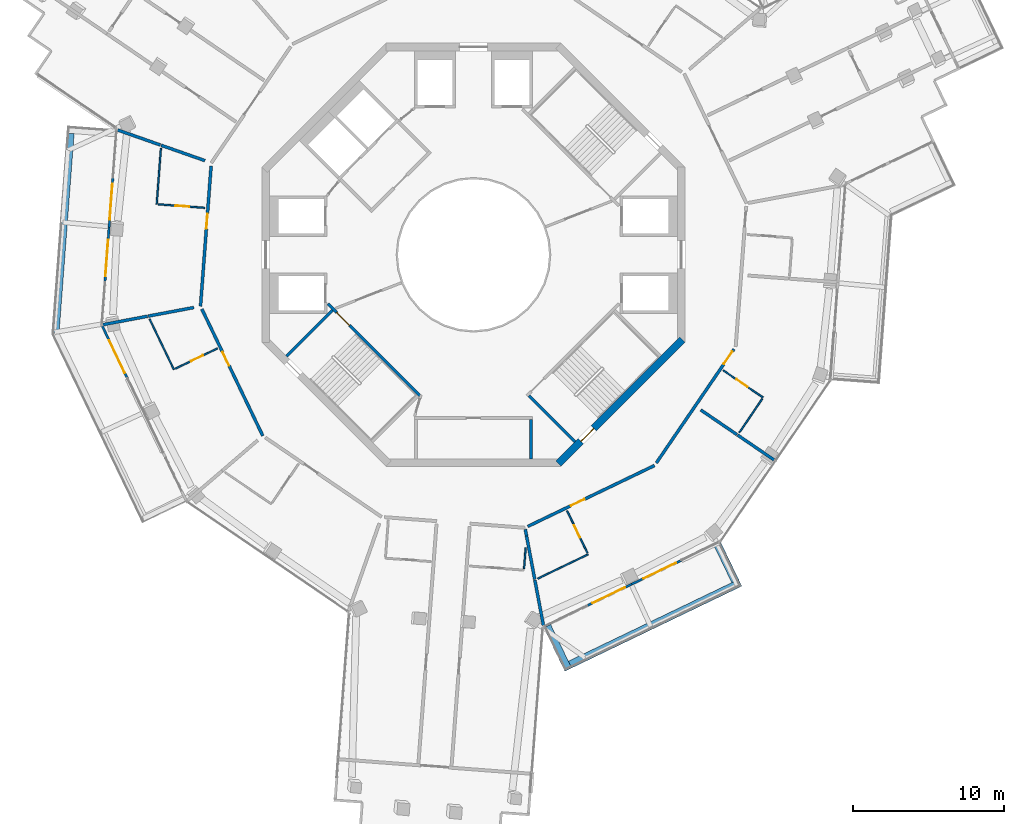
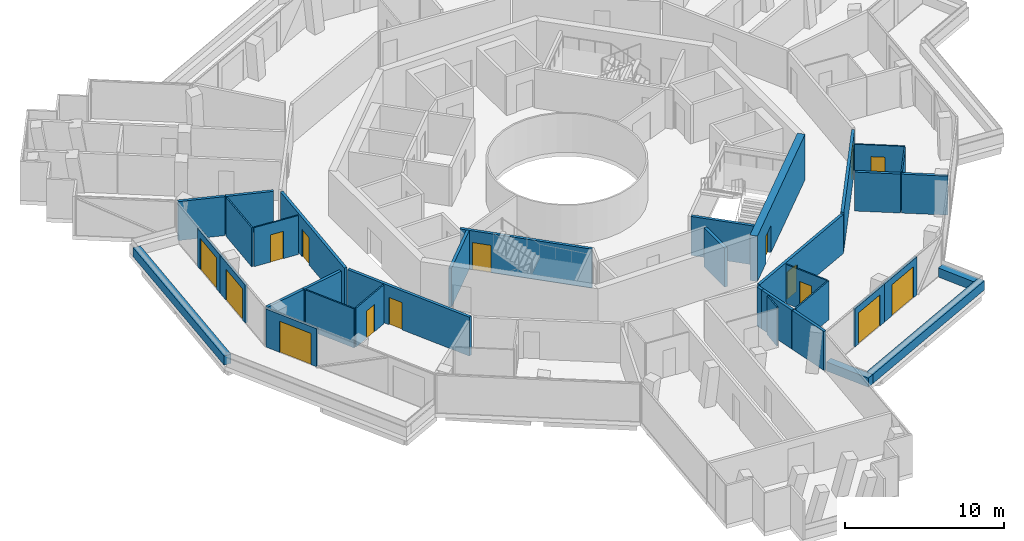
# One storey, part 16 of 23: 36 walls, 15 doors, 15 openings.
"""IFC4 building model written with IfcOpenShell, lengths in metres."""

from ifc_helpers import new_model, si_unit, direction, frame, frame_2d, origin, place, context, subcontext, project, spatial, rectangle, extrude, material, layer, layer_set, type_object, element, fill, save


model = new_model("IFC4")

# Units and contexts
model_context = context("Model", 3, precision=1e-05, world=origin(), true_north=direction((0.0, 1.0)))
body_context = subcontext(model_context, "Body", "Model", "MODEL_VIEW")
ifc_project = project(units=[si_unit("LENGTHUNIT", "METRE"), si_unit("AREAUNIT", "SQUARE_METRE"), si_unit("VOLUMEUNIT", "CUBIC_METRE"), si_unit("PLANEANGLEUNIT", "RADIAN"), si_unit("MASSUNIT", "GRAM", prefix="KILO")], contexts=[model_context])

# Site, building, storey
site_placement = place(None, origin())
site = spatial("IfcSite", under=ifc_project, at=site_placement, CompositionType="ELEMENT")
building_placement = place(site_placement, origin())
building = spatial("IfcBuilding", under=site, at=building_placement, Name="Verdalira Terraces Hotel", CompositionType="ELEMENT")
storey_placement = place(building_placement, frame((0.0, 0.0, 259.5)))
storey = spatial("IfcBuildingStorey", under=building, at=storey_placement, Name="L64", CompositionType="ELEMENT", Elevation=259.5)

# Walls
ifc_material_1 = material(Name="Concrete C40", Category="concrete")
ifc_layer_1 = layer(ifc_material_1, 0.5)
ifc_layer_set_1 = layer_set([ifc_layer_1], Name="Balcony planter trough with tree")
wall_type_1 = type_object("IfcWallType", Name="Balcony planter trough with tree", PredefinedType="SOLIDWALL", material=ifc_layer_set_1)
wall_1_placement = place(storey_placement, frame((-26.678955, 8.032471, 0.0), z_axis=(0.0, 0.0, 1.0), x_axis=(-0.075328331, -0.997158785, 0.0)))
element("IfcWall", 1, at=wall_1_placement, inside=storey, type_object=wall_type_1, Name="Balcony planter", PredefinedType="SOLIDWALL", context=body_context, shape_type="SweptSolid", body=[
    extrude(rectangle(XDim=13.223389, YDim=0.5, at=frame_2d((6.611816, 0.0))), origin(), (0.0, 0.0, 1.0), 0.699951),
])
wall_2_placement = place(storey_placement, frame((4.879883, -24.571533, 0.0), z_axis=(0.0, 0.0, 1.0), x_axis=(0.433393374, -0.901204851, 0.0)))
element("IfcWall", 2, at=wall_2_placement, inside=storey, type_object=wall_type_1, Name="Balcony planter", PredefinedType="SOLIDWALL", context=body_context, shape_type="SweptSolid", body=[
    extrude(rectangle(XDim=3.199219, YDim=0.5, at=frame_2d((1.599609, 0.0))), origin(), (0.0, 0.0, 1.0), 0.699951),
])
wall_3_placement = place(storey_placement, frame((6.383301, -27.121094, 0.0), z_axis=(0.0, 0.0, 1.0), x_axis=(0.901222941, 0.433355755, 0.0)))
element("IfcWall", 3, at=wall_3_placement, inside=storey, type_object=wall_type_1, Name="Balcony planter", PredefinedType="SOLIDWALL", context=body_context, shape_type="SweptSolid", body=[
    extrude(rectangle(XDim=12.5, YDim=0.5, at=frame_2d((6.25, 0.0))), origin(), (0.0, 0.0, 1.0), 0.699951),
])
wall_4_placement = place(storey_placement, frame((17.314941, -21.587158, 0.0), z_axis=(0.0, 0.0, 1.0), x_axis=(-0.433374971, 0.901213701, 0.0)))
element("IfcWall", 4, at=wall_4_placement, inside=storey, type_object=wall_type_1, Name="Balcony planter", PredefinedType="SOLIDWALL", context=body_context, shape_type="SweptSolid", body=[
    extrude(rectangle(XDim=2.698975, YDim=0.5, at=frame_2d((1.349609, 0.0))), origin(), (0.0, 0.0, 1.0), 0.699951),
])
ifc_material_2 = material(Name="Moisture-resistant gypsum board partition")
ifc_layer_2 = layer(ifc_material_2, 0.10009765625)
ifc_layer_set_2 = layer_set([ifc_layer_2], Name="Bathroom partition 100 mm")
wall_type_2 = type_object("IfcWallType", Name="Bathroom partition 100 mm", PredefinedType="PARTITIONING", material=ifc_layer_set_2)
wall_5_placement = place(storey_placement, frame((-20.96582, 3.347168, 0.0), z_axis=(0.0, 0.0, 1.0), x_axis=(0.075340523, 0.997157864, 0.0)))
element("IfcWall", 5, at=wall_5_placement, inside=storey, type_object=wall_type_2, Name="Bathroom partition", PredefinedType="PARTITIONING", context=body_context, shape_type="SweptSolid", body=[
    extrude(rectangle(XDim=3.703857, YDim=0.100098, at=frame_2d((1.852051, 0.0))), origin(), (0.0, 0.0, 1.0), 3.0),
])
wall_6_placement = place(storey_placement, frame((-19.830322, -7.584229, 0.0), z_axis=(0.0, 0.0, 1.0), x_axis=(-0.433371651, 0.901215297, 0.0)))
element("IfcWall", 6, at=wall_6_placement, inside=storey, type_object=wall_type_2, Name="Bathroom partition", PredefinedType="PARTITIONING", context=body_context, shape_type="SweptSolid", body=[
    extrude(rectangle(XDim=3.704102, YDim=0.100098, at=frame_2d((1.852051, 0.0))), origin(), (0.0, 0.0, 1.0), 3.0),
])

# Wall, opening, door
wall_7_placement = place(storey_placement, frame((-20.866211, 3.3396, 0.0), z_axis=(0.0, 0.0, 1.0), x_axis=(0.99716189, -0.075287219, 0.0)))
wall_7 = element("IfcWall", 7, at=wall_7_placement, inside=storey, type_object=wall_type_2, Name="Bathroom partition", PredefinedType="PARTITIONING", context=body_context, shape_type="SweptSolid", body=[
    extrude(rectangle(XDim=3.100098, YDim=0.100098, at=frame_2d((1.550049, 0.0))), origin(), (0.0, 0.0, 1.0), 3.0),
])
opening_1_placement = place(wall_7_placement, frame((1.149902, 0.0, 0.0)))
opening_1 = element("IfcOpeningElement", 8, at=opening_1_placement, cuts=wall_7, Name="Opening L64-106", PredefinedType="OPENING", context=body_context, shape_type="SweptSolid", body=[
    extrude(rectangle(XDim=0.899902, YDim=2.100098, at=frame_2d((0.449951, 1.050049))), frame((0.0, 0.060059, 0.0), z_axis=(0.0, -1.0, 0.0), x_axis=(1.0, 0.0, 0.0)), (0.0, 0.0, 1.0), 0.120117),
])
ifc_material_3 = material(Name="Timber door", Category="wood")
door_type_1 = type_object("IfcDoorType", Name="Bathroom door 900 x 2100", OperationType="NOTDEFINED", PredefinedType="DOOR", material=ifc_material_3)
door_1_placement = place(opening_1_placement, origin())
door_1 = element("IfcDoor", 9, at=door_1_placement, inside=storey, type_object=door_type_1, Name="Bathroom door 6402", OperationType="SINGLE_SWING_LEFT", OverallHeight=2.10009765625, OverallWidth=0.89990234375, PredefinedType="DOOR", context=body_context, shape_type="SweptSolid", body=[
    extrude(rectangle(XDim=0.899902, YDim=2.100098, at=frame_2d((0.449951, 1.050049))), frame((0.0, 0.024902, 0.0), z_axis=(0.0, -1.0, 0.0), x_axis=(1.0, 0.0, 0.0)), (0.0, 0.0, 1.0), 0.050049),
])
fill(opening_1, door_1)

wall_8_placement = place(storey_placement, frame((-19.740234, -7.541016, 0.0), z_axis=(0.0, 0.0, 1.0), x_axis=(0.901204512, 0.433394078, 0.0)))
wall_8 = element("IfcWall", 10, at=wall_8_placement, inside=storey, type_object=wall_type_2, Name="Bathroom partition", PredefinedType="PARTITIONING", context=body_context, shape_type="SweptSolid", body=[
    extrude(rectangle(XDim=3.099854, YDim=0.100098, at=frame_2d((1.549805, 0.0))), origin(), (0.0, 0.0, 1.0), 3.0),
])
opening_2_placement = place(wall_8_placement, frame((1.149902, 0.0, 0.0)))
opening_2 = element("IfcOpeningElement", 11, at=opening_2_placement, cuts=wall_8, Name="Opening L64-108", PredefinedType="OPENING", context=body_context, shape_type="SweptSolid", body=[
    extrude(rectangle(XDim=0.899902, YDim=2.100098, at=frame_2d((0.449951, 1.050049))), frame((0.0, 0.060059, 0.0), z_axis=(0.0, -1.0, 0.0), x_axis=(1.0, 0.0, 0.0)), (0.0, 0.0, 1.0), 0.120117),
])
door_2_placement = place(opening_2_placement, origin())
door_2 = element("IfcDoor", 12, at=door_2_placement, inside=storey, type_object=door_type_1, Name="Bathroom door 6403", OperationType="SINGLE_SWING_LEFT", OverallHeight=2.10009765625, OverallWidth=0.89990234375, PredefinedType="DOOR", context=body_context, shape_type="SweptSolid", body=[
    extrude(rectangle(XDim=0.899902, YDim=2.100098, at=frame_2d((0.449951, 1.050049))), frame((0.0, 0.024902, 0.0), z_axis=(0.0, -1.0, 0.0), x_axis=(1.0, 0.0, 0.0)), (0.0, 0.0, 1.0), 0.050049),
])
fill(opening_2, door_2)

# Walls
wall_9_placement = place(storey_placement, frame((3.450439, -19.374756, 0.0), z_axis=(0.0, 0.0, 1.0), x_axis=(-0.075414876, -0.997152243, 0.0)))
element("IfcWall", 13, at=wall_9_placement, inside=storey, type_object=wall_type_2, Name="Bathroom partition", PredefinedType="PARTITIONING", context=body_context, shape_type="SweptSolid", body=[
    extrude(rectangle(XDim=1.398438, YDim=0.100098, at=frame_2d((0.699219, 0.0))), origin(), (0.0, 0.0, 1.0), 3.0),
])
wall_10_placement = place(storey_placement, frame((7.584229, -19.830322, 0.0), z_axis=(0.0, 0.0, 1.0), x_axis=(-0.901215297, -0.433371651, 0.0)))
element("IfcWall", 14, at=wall_10_placement, inside=storey, type_object=wall_type_2, Name="Bathroom partition", PredefinedType="PARTITIONING", context=body_context, shape_type="SweptSolid", body=[
    extrude(rectangle(XDim=3.704102, YDim=0.100098, at=frame_2d((1.852051, 0.0))), origin(), (0.0, 0.0, 1.0), 3.0),
])

# Wall, opening, door
wall_11_placement = place(storey_placement, frame((7.541016, -19.740234, 0.0), z_axis=(0.0, 0.0, 1.0), x_axis=(-0.433394078, 0.901204512, 0.0)))
wall_11 = element("IfcWall", 15, at=wall_11_placement, inside=storey, type_object=wall_type_2, Name="Bathroom partition", PredefinedType="PARTITIONING", context=body_context, shape_type="SweptSolid", body=[
    extrude(rectangle(XDim=3.099854, YDim=0.100098, at=frame_2d((1.549805, 0.0))), origin(), (0.0, 0.0, 1.0), 3.0),
])
opening_3_placement = place(wall_11_placement, frame((1.149902, 0.0, 0.0)))
opening_3 = element("IfcOpeningElement", 16, at=opening_3_placement, cuts=wall_11, Name="Opening L64-116", PredefinedType="OPENING", context=body_context, shape_type="SweptSolid", body=[
    extrude(rectangle(XDim=0.899902, YDim=2.100098, at=frame_2d((0.449951, 1.050049))), frame((0.0, 0.060059, 0.0), z_axis=(0.0, -1.0, 0.0), x_axis=(1.0, 0.0, 0.0)), (0.0, 0.0, 1.0), 0.120117),
])
door_3_placement = place(opening_3_placement, origin())
door_3 = element("IfcDoor", 17, at=door_3_placement, inside=storey, type_object=door_type_1, Name="Bathroom door 6407", OperationType="SINGLE_SWING_LEFT", OverallHeight=2.10009765625, OverallWidth=0.89990234375, PredefinedType="DOOR", context=body_context, shape_type="SweptSolid", body=[
    extrude(rectangle(XDim=0.899902, YDim=2.100098, at=frame_2d((0.449951, 1.050049))), frame((0.0, 0.024902, 0.0), z_axis=(0.0, -1.0, 0.0), x_axis=(1.0, 0.0, 0.0)), (0.0, 0.0, 1.0), 0.050049),
])
fill(opening_3, door_3)

wall_12_placement = place(storey_placement, frame((19.166016, -9.45166, 0.0), z_axis=(0.0, 0.0, 1.0), x_axis=(-0.8258963, 0.563822047, 0.0)))
wall_12 = element("IfcWall", 18, at=wall_12_placement, inside=storey, type_object=wall_type_2, Name="Bathroom partition", PredefinedType="PARTITIONING", context=body_context, shape_type="SweptSolid", body=[
    extrude(rectangle(XDim=3.199951, YDim=0.100098, at=frame_2d((1.600098, 0.0))), origin(), (0.0, 0.0, 1.0), 3.0),
])
opening_4_placement = place(wall_12_placement, frame((1.25, 0.0, 0.0)))
opening_4 = element("IfcOpeningElement", 19, at=opening_4_placement, cuts=wall_12, Name="Opening L64-118", PredefinedType="OPENING", context=body_context, shape_type="SweptSolid", body=[
    extrude(rectangle(XDim=0.899902, YDim=2.100098, at=frame_2d((0.449951, 1.050049))), frame((0.0, 0.060059, 0.0), z_axis=(0.0, -1.0, 0.0), x_axis=(1.0, 0.0, 0.0)), (0.0, 0.0, 1.0), 0.120117),
])
door_4_placement = place(opening_4_placement, origin())
door_4 = element("IfcDoor", 20, at=door_4_placement, inside=storey, type_object=door_type_1, Name="Bathroom door 6408", OperationType="SINGLE_SWING_LEFT", OverallHeight=2.10009765625, OverallWidth=0.89990234375, PredefinedType="DOOR", context=body_context, shape_type="SweptSolid", body=[
    extrude(rectangle(XDim=0.899902, YDim=2.100098, at=frame_2d((0.449951, 1.050049))), frame((0.0, 0.024902, 0.0), z_axis=(0.0, -1.0, 0.0), x_axis=(1.0, 0.0, 0.0)), (0.0, 0.0, 1.0), 0.050049),
])
fill(opening_4, door_4)

# Walls
wall_13_placement = place(storey_placement, frame((19.109863, -9.53418, 0.0), z_axis=(0.0, 0.0, 1.0), x_axis=(-0.563847343, -0.825879031, 0.0)))
element("IfcWall", 21, at=wall_13_placement, inside=storey, type_object=wall_type_2, Name="Bathroom partition", PredefinedType="PARTITIONING", context=body_context, shape_type="SweptSolid", body=[
    extrude(rectangle(XDim=2.700195, YDim=0.100098, at=frame_2d((1.350098, 0.0))), origin(), (0.0, 0.0, 1.0), 3.0),
])
ifc_material_4 = material(Name="Concrete C50", Category="concrete")
ifc_layer_3 = layer(ifc_material_4, 0.199951171875)
ifc_layer_set_3 = layer_set([ifc_layer_3], Name="Core RC wall 200 C50")
wall_type_3 = type_object("IfcWallType", Name="Core RC wall 200 C50", PredefinedType="SOLIDWALL", material=ifc_layer_set_3)
wall_14_placement = place(storey_placement, frame((3.800049, -10.899902, 0.0), z_axis=(0.0, 0.0, 1.0), x_axis=(0.0, -1.0, 0.0)))
element("IfcWall", 22, at=wall_14_placement, inside=storey, type_object=wall_type_3, Name="L64 store side wall", PredefinedType="SOLIDWALL", context=body_context, shape_type="SweptSolid", body=[
    extrude(rectangle(XDim=2.600098, YDim=0.199951, at=frame_2d((1.300049, 0.0))), origin(), (0.0, 0.0, 1.0), 3.0),
])

# Wall, opening, door
wall_15_placement = place(storey_placement, frame((-3.5354, -9.33374, 0.0), z_axis=(0.0, 0.0, 1.0), x_axis=(-0.707120946, 0.707092617, 0.0)))
wall_15 = element("IfcWall", 23, at=wall_15_placement, inside=storey, type_object=wall_type_3, Name="L64 stair ST2 front wall", PredefinedType="SOLIDWALL", context=body_context, shape_type="SweptSolid", body=[
    extrude(rectangle(XDim=8.61792, YDim=0.199951, at=frame_2d((4.309082, 0.0))), origin(), (0.0, 0.0, 1.0), 3.0),
])
opening_5_placement = place(wall_15_placement, frame((6.600098, 0.0, 0.0)))
opening_5 = element("IfcOpeningElement", 24, at=opening_5_placement, cuts=wall_15, Name="Opening L64-811", PredefinedType="OPENING", context=body_context, shape_type="SweptSolid", body=[
    extrude(rectangle(XDim=1.199951, YDim=2.100098, at=frame_2d((0.600098, 1.050049))), frame((0.0, 0.109863, 0.0), z_axis=(0.0, -1.0, 0.0), x_axis=(1.0, 0.0, 0.0)), (0.0, 0.0, 1.0), 0.219971),
])
ifc_material_5 = material(Name="Steel fire door", Category="steel")
door_type_2 = type_object("IfcDoorType", Name="Stair door 1200 x 2100", OperationType="NOTDEFINED", PredefinedType="DOOR", material=ifc_material_5)
door_5_placement = place(opening_5_placement, origin())
door_5 = element("IfcDoor", 25, at=door_5_placement, inside=storey, type_object=door_type_2, Name="Stair door ST2 L64", OperationType="SINGLE_SWING_RIGHT", OverallHeight=2.10009765625, OverallWidth=1.199951171875, PredefinedType="DOOR", context=body_context, shape_type="SweptSolid", body=[
    extrude(rectangle(XDim=1.199951, YDim=2.100098, at=frame_2d((0.600098, 1.050049))), frame((0.0, 0.024902, 0.0), z_axis=(0.0, -1.0, 0.0), x_axis=(1.0, 0.0, 0.0)), (0.0, 0.0, 1.0), 0.050049),
])
fill(opening_5, door_5)

# Walls
for number, where, z_axis, x_axis, name in (
    (26, (-9.33374, -3.677002, 0.0), (0.0, 0.0, 1.0), (-0.707135168, -0.707078393, 0.0), "L64 stair ST2 end wall 1"),
    (27, (3.677002, -9.33374, 0.0), (0.0, 0.0, 1.0), (0.707078393, -0.707135168, 0.0), "L64 stair ST3 end wall 1"),
):
    element("IfcWall", number, at=place(storey_placement, frame(where, z_axis=z_axis, x_axis=x_axis)), inside=storey, type_object=wall_type_3, Name=name, PredefinedType="SOLIDWALL", context=body_context, shape_type="SweptSolid", body=[
        extrude(rectangle(XDim=4.300049, YDim=0.199951, at=frame_2d((2.149902, 0.0))), origin(), (0.0, 0.0, 1.0), 3.0),
    ])

# Wall, opening, door
ifc_material_6 = material(Name="Concrete C50", Category="concrete")
ifc_layer_4 = layer(ifc_material_6, 0.5)
ifc_layer_set_4 = layer_set([ifc_layer_4], Name="Core wall 500 C50")
wall_type_4 = type_object("IfcWallType", Name="Core wall 500 C50", PredefinedType="SHEAR", material=ifc_layer_set_4)
wall_16_placement = place(storey_placement, frame((5.622314, -13.823242, 0.0), z_axis=(0.0, 0.0, 1.0), x_axis=(0.707106781, 0.707106781, 0.0)))
wall_16 = element("IfcWall", 28, at=wall_16_placement, inside=storey, type_object=wall_type_4, Name="Core wall CW-L64-8", PredefinedType="SHEAR", context=body_context, shape_type="SweptSolid", body=[
    extrude(rectangle(XDim=11.5979, YDim=0.5, at=frame_2d((5.798828, 0.0))), origin(), (0.0, 0.0, 1.0), 3.5),
])
opening_6_placement = place(wall_16_placement, frame((2.099121, 0.0, 0.0)))
opening_6 = element("IfcOpeningElement", 29, at=opening_6_placement, cuts=wall_16, Name="Opening L64-818", PredefinedType="OPENING", context=body_context, shape_type="SweptSolid", body=[
    extrude(rectangle(XDim=1.199951, YDim=2.100098, at=frame_2d((0.600098, 1.050049))), frame((0.0, 0.26001, 0.0), z_axis=(0.0, -1.0, 0.0), x_axis=(1.0, 0.0, 0.0)), (0.0, 0.0, 1.0), 0.52002),
])
door_6_placement = place(opening_6_placement, origin())
door_6 = element("IfcDoor", 30, at=door_6_placement, inside=storey, type_object=door_type_2, Name="Stair exit door ST3 L64", OperationType="SINGLE_SWING_LEFT", OverallHeight=2.10009765625, OverallWidth=1.199951171875, PredefinedType="DOOR", context=body_context, shape_type="SweptSolid", body=[
    extrude(rectangle(XDim=1.199951, YDim=2.100098, at=frame_2d((0.600098, 1.050049))), frame((0.0, 0.024902, 0.0), z_axis=(0.0, -1.0, 0.0), x_axis=(1.0, 0.0, 0.0)), (0.0, 0.0, 1.0), 0.050049),
])
fill(opening_6, door_6)

# Walls
ifc_material_7 = material(Name="Fire-rated gypsum board wall")
ifc_layer_5 = layer(ifc_material_7, 0.199951171875)
ifc_layer_set_5 = layer_set([ifc_layer_5], Name="Demising wall 200 mm")
wall_type_5 = type_object("IfcWallType", Name="Demising wall 200 mm", PredefinedType="SOLIDWALL", material=ifc_layer_set_5)
wall_17_placement = place(storey_placement, frame((-21.57251, -4.068359, 0.0), z_axis=(0.0, 0.0, 1.0), x_axis=(-0.982673358, -0.185345817, 0.0)))
element("IfcWall", 31, at=wall_17_placement, inside=storey, type_object=wall_type_5, Name="Demising wall", PredefinedType="SOLIDWALL", context=body_context, shape_type="SweptSolid", body=[
    extrude(rectangle(XDim=3.01123, YDim=0.199951, at=frame_2d((1.505615, 0.0))), origin(), (0.0, 0.0, 1.0), 3.0),
])
wall_18_placement = place(storey_placement, frame((-20.716309, 7.262939, 0.0), z_axis=(0.0, 0.0, 1.0), x_axis=(-0.94368127, 0.330855951, 0.0)))
element("IfcWall", 32, at=wall_18_placement, inside=storey, type_object=wall_type_5, Name="Demising wall", PredefinedType="SOLIDWALL", context=body_context, shape_type="SweptSolid", body=[
    extrude(rectangle(XDim=3.011475, YDim=0.199951, at=frame_2d((1.505859, 0.0))), origin(), (0.0, 0.0, 1.0), 3.0),
])
wall_19_placement = place(storey_placement, frame((-18.505859, -3.48999, 0.0), z_axis=(0.0, 0.0, 1.0), x_axis=(-0.982674754, -0.185338414, 0.0)))
element("IfcWall", 33, at=wall_19_placement, inside=storey, type_object=wall_type_5, Name="Demising wall", PredefinedType="SOLIDWALL", context=body_context, shape_type="SweptSolid", body=[
    extrude(rectangle(XDim=3.074463, YDim=0.199951, at=frame_2d((1.537109, 0.0))), origin(), (0.0, 0.0, 1.0), 3.0),
])
wall_20_placement = place(storey_placement, frame((-17.771484, 6.230469, 0.0), z_axis=(0.0, 0.0, 1.0), x_axis=(-0.943678725, 0.33086321, 0.0)))
element("IfcWall", 34, at=wall_20_placement, inside=storey, type_object=wall_type_5, Name="Demising wall", PredefinedType="SOLIDWALL", context=body_context, shape_type="SweptSolid", body=[
    extrude(rectangle(XDim=3.074707, YDim=0.199951, at=frame_2d((1.537354, 0.0))), origin(), (0.0, 0.0, 1.0), 3.0),
])
wall_21_placement = place(storey_placement, frame((3.42627, -18.167969, 0.0), z_axis=(0.0, 0.0, 1.0), x_axis=(0.185317689, -0.982678663, 0.0)))
element("IfcWall", 35, at=wall_21_placement, inside=storey, type_object=wall_type_5, Name="Demising wall", PredefinedType="SOLIDWALL", context=body_context, shape_type="SweptSolid", body=[
    extrude(rectangle(XDim=0.443848, YDim=0.199951, at=frame_2d((0.221924, 0.0))), origin(), (0.0, 0.0, 1.0), 3.0),
])
wall_22_placement = place(storey_placement, frame((3.508545, -18.604248, 0.0), z_axis=(0.0, 0.0, 1.0), x_axis=(0.185331809, -0.982676, 0.0)))
element("IfcWall", 36, at=wall_22_placement, inside=storey, type_object=wall_type_5, Name="Demising wall", PredefinedType="SOLIDWALL", context=body_context, shape_type="SweptSolid", body=[
    extrude(rectangle(XDim=2.924561, YDim=0.199951, at=frame_2d((1.462402, 0.0))), origin(), (0.0, 0.0, 1.0), 3.0),
])
wall_23_placement = place(storey_placement, frame((4.059082, -21.523193, 0.0), z_axis=(0.0, 0.0, 1.0), x_axis=(0.185338116, -0.98267481, 0.0)))
element("IfcWall", 37, at=wall_23_placement, inside=storey, type_object=wall_type_5, Name="Demising wall", PredefinedType="SOLIDWALL", context=body_context, shape_type="SweptSolid", body=[
    extrude(rectangle(XDim=3.061279, YDim=0.199951, at=frame_2d((1.530762, 0.0))), origin(), (0.0, 0.0, 1.0), 3.0),
])
wall_24_placement = place(storey_placement, frame((15.035889, -10.264648, 0.0), z_axis=(0.0, 0.0, 1.0), x_axis=(0.825923162, -0.563782698, 0.0)))
element("IfcWall", 38, at=wall_24_placement, inside=storey, type_object=wall_type_5, Name="Demising wall", PredefinedType="SOLIDWALL", context=body_context, shape_type="SweptSolid", body=[
    extrude(rectangle(XDim=2.904785, YDim=0.199951, at=frame_2d((1.452393, 0.0))), origin(), (0.0, 0.0, 1.0), 3.0),
])
wall_25_placement = place(storey_placement, frame((17.4729, -11.928223, 0.0), z_axis=(0.0, 0.0, 1.0), x_axis=(0.825931536, -0.56377043, 0.0)))
element("IfcWall", 39, at=wall_25_placement, inside=storey, type_object=wall_type_5, Name="Demising wall", PredefinedType="SOLIDWALL", context=body_context, shape_type="SweptSolid", body=[
    extrude(rectangle(XDim=2.952148, YDim=0.199951, at=frame_2d((1.476074, 0.0))), origin(), (0.0, 0.0, 1.0), 3.0),
])

# Wall, opening, door
ifc_material_8 = material(Name="Fire-rated gypsum board wall")
ifc_layer_6 = layer(ifc_material_8, 0.199951171875)
ifc_layer_set_6 = layer_set([ifc_layer_6], Name="Guest corridor wall 200 mm")
wall_type_6 = type_object("IfcWallType", Name="Guest corridor wall 200 mm", PredefinedType="SOLIDWALL", material=ifc_layer_set_6)
wall_26_placement = place(storey_placement, frame((-18.066406, -3.406982, 0.0), z_axis=(0.0, 0.0, 1.0), x_axis=(0.075339772, 0.997157921, 0.0)))
wall_26 = element("IfcWall", 40, at=wall_26_placement, inside=storey, type_object=wall_type_6, Name="Guest corridor wall", PredefinedType="SOLIDWALL", context=body_context, shape_type="SweptSolid", body=[
    extrude(rectangle(XDim=9.316406, YDim=0.199951, at=frame_2d((4.658203, 0.0))), origin(), (0.0, 0.0, 1.0), 3.0),
])
opening_7_placement = place(wall_26_placement, frame((5.149902, 0.0, 0.0)))
opening_7 = element("IfcOpeningElement", 41, at=opening_7_placement, cuts=wall_26, Name="Opening L64-105", PredefinedType="OPENING", context=body_context, shape_type="SweptSolid", body=[
    extrude(rectangle(XDim=1.0, YDim=2.100098, at=frame_2d((0.5, 1.050049))), frame((0.0, 0.109863, 0.0), z_axis=(0.0, -1.0, 0.0), x_axis=(1.0, 0.0, 0.0)), (0.0, 0.0, 1.0), 0.219971),
])
ifc_material_9 = material(Name="Timber fire door", Category="wood")
door_type_3 = type_object("IfcDoorType", Name="Guest entry door 1000 x 2100", OperationType="NOTDEFINED", PredefinedType="DOOR", material=ifc_material_9)
door_7_placement = place(opening_7_placement, origin())
door_7 = element("IfcDoor", 42, at=door_7_placement, inside=storey, type_object=door_type_3, Name="Guest entry door 6402", OperationType="SINGLE_SWING_LEFT", OverallHeight=2.10009765625, OverallWidth=1.0, PredefinedType="DOOR", context=body_context, shape_type="SweptSolid", body=[
    extrude(rectangle(XDim=1.0, YDim=2.100098, at=frame_2d((0.5, 1.050049))), frame((0.0, 0.024902, 0.0), z_axis=(0.0, -1.0, 0.0), x_axis=(1.0, 0.0, 0.0)), (0.0, 0.0, 1.0), 0.050049),
])
fill(opening_7, door_7)

wall_27_placement = place(storey_placement, frame((-13.942383, -11.983887, 0.0), z_axis=(0.0, 0.0, 1.0), x_axis=(-0.433323906, 0.901238255, 0.0)))
wall_27 = element("IfcWall", 43, at=wall_27_placement, inside=storey, type_object=wall_type_6, Name="Guest corridor wall", PredefinedType="SOLIDWALL", context=body_context, shape_type="SweptSolid", body=[
    extrude(rectangle(XDim=9.31665, YDim=0.199951, at=frame_2d((4.658203, 0.0))), origin(), (0.0, 0.0, 1.0), 3.0),
])
opening_8_placement = place(wall_27_placement, frame((5.149902, 0.0, 0.0)))
opening_8 = element("IfcOpeningElement", 44, at=opening_8_placement, cuts=wall_27, Name="Opening L64-107", PredefinedType="OPENING", context=body_context, shape_type="SweptSolid", body=[
    extrude(rectangle(XDim=1.0, YDim=2.100098, at=frame_2d((0.5, 1.050049))), frame((0.0, 0.109863, 0.0), z_axis=(0.0, -1.0, 0.0), x_axis=(1.0, 0.0, 0.0)), (0.0, 0.0, 1.0), 0.219971),
])
door_8_placement = place(opening_8_placement, origin())
door_8 = element("IfcDoor", 45, at=door_8_placement, inside=storey, type_object=door_type_3, Name="Guest entry door 6403", OperationType="SINGLE_SWING_LEFT", OverallHeight=2.10009765625, OverallWidth=1.0, PredefinedType="DOOR", context=body_context, shape_type="SweptSolid", body=[
    extrude(rectangle(XDim=1.0, YDim=2.100098, at=frame_2d((0.5, 1.050049))), frame((0.0, 0.024902, 0.0), z_axis=(0.0, -1.0, 0.0), x_axis=(1.0, 0.0, 0.0)), (0.0, 0.0, 1.0), 0.050049),
])
fill(opening_8, door_8)

wall_28_placement = place(storey_placement, frame((11.983398, -13.942383, 0.0), z_axis=(0.0, 0.0, 1.0), x_axis=(-0.901228413, -0.433344375, 0.0)))
wall_28 = element("IfcWall", 46, at=wall_28_placement, inside=storey, type_object=wall_type_6, Name="Guest corridor wall", PredefinedType="SOLIDWALL", context=body_context, shape_type="SweptSolid", body=[
    extrude(rectangle(XDim=9.316162, YDim=0.199951, at=frame_2d((4.658203, 0.0))), origin(), (0.0, 0.0, 1.0), 3.0),
])
opening_9_placement = place(wall_28_placement, frame((5.149902, 0.0, 0.0)))
opening_9 = element("IfcOpeningElement", 47, at=opening_9_placement, cuts=wall_28, Name="Opening L64-115", PredefinedType="OPENING", context=body_context, shape_type="SweptSolid", body=[
    extrude(rectangle(XDim=1.0, YDim=2.100098, at=frame_2d((0.5, 1.050049))), frame((0.0, 0.109863, 0.0), z_axis=(0.0, -1.0, 0.0), x_axis=(1.0, 0.0, 0.0)), (0.0, 0.0, 1.0), 0.219971),
])
door_9_placement = place(opening_9_placement, origin())
door_9 = element("IfcDoor", 48, at=door_9_placement, inside=storey, type_object=door_type_3, Name="Guest entry door 6407", OperationType="SINGLE_SWING_LEFT", OverallHeight=2.10009765625, OverallWidth=1.0, PredefinedType="DOOR", context=body_context, shape_type="SweptSolid", body=[
    extrude(rectangle(XDim=1.0, YDim=2.100098, at=frame_2d((0.5, 1.050049))), frame((0.0, 0.024902, 0.0), z_axis=(0.0, -1.0, 0.0), x_axis=(1.0, 0.0, 0.0)), (0.0, 0.0, 1.0), 0.050049),
])
fill(opening_9, door_9)

wall_29_placement = place(storey_placement, frame((17.236328, -6.248047, 0.0), z_axis=(0.0, 0.0, 1.0), x_axis=(-0.563807947, -0.825905926, 0.0)))
wall_29 = element("IfcWall", 49, at=wall_29_placement, inside=storey, type_object=wall_type_6, Name="Guest corridor wall", PredefinedType="SOLIDWALL", context=body_context, shape_type="SweptSolid", body=[
    extrude(rectangle(XDim=9.115479, YDim=0.199951, at=frame_2d((4.557617, 0.0))), origin(), (0.0, 0.0, 1.0), 3.0),
])
opening_10_placement = place(wall_29_placement, frame((0.199951, 0.0, 0.0)))
opening_10 = element("IfcOpeningElement", 50, at=opening_10_placement, cuts=wall_29, Name="Opening L64-117", PredefinedType="OPENING", context=body_context, shape_type="SweptSolid", body=[
    extrude(rectangle(XDim=1.0, YDim=2.100098, at=frame_2d((0.5, 1.050049))), frame((0.0, 0.109863, 0.0), z_axis=(0.0, -1.0, 0.0), x_axis=(1.0, 0.0, 0.0)), (0.0, 0.0, 1.0), 0.219971),
])
door_10_placement = place(opening_10_placement, origin())
door_10 = element("IfcDoor", 51, at=door_10_placement, inside=storey, type_object=door_type_3, Name="Guest entry door 6408", OperationType="SINGLE_SWING_LEFT", OverallHeight=2.10009765625, OverallWidth=1.0, PredefinedType="DOOR", context=body_context, shape_type="SweptSolid", body=[
    extrude(rectangle(XDim=1.0, YDim=2.100098, at=frame_2d((0.5, 1.050049))), frame((0.0, 0.024902, 0.0), z_axis=(0.0, -1.0, 0.0), x_axis=(1.0, 0.0, 0.0)), (0.0, 0.0, 1.0), 0.050049),
])
fill(opening_10, door_10)

ifc_material_10 = material(Name="Terracotta cladding", Category="masonry")
ifc_layer_7 = layer(ifc_material_10, 0.14990234375)
ifc_layer_set_7 = layer_set([ifc_layer_7], Name="Terracotta door pier 150")
wall_type_7 = type_object("IfcWallType", Name="Terracotta door pier 150", PredefinedType="SOLIDWALL", material=ifc_layer_set_7)
wall_30_placement = place(storey_placement, frame((-23.865967, 5.112305, 0.0), z_axis=(0.0, 0.0, 1.0), x_axis=(-0.07531041, -0.997160139, 0.0)))
wall_30 = element("IfcWall", 52, at=wall_30_placement, inside=storey, type_object=wall_type_7, Name="Terracotta door pier", PredefinedType="SOLIDWALL", context=body_context, shape_type="SweptSolid", body=[
    extrude(rectangle(XDim=3.300049, YDim=0.149902, at=frame_2d((1.649902, 0.0))), origin(), (0.0, 0.0, 1.0), 2.935059),
])
opening_11_placement = place(wall_30_placement, frame((0.399902, 0.0, 0.0)))
opening_11 = element("IfcOpeningElement", 53, at=opening_11_placement, cuts=wall_30, Name="Opening L64-B01", PredefinedType="OPENING", context=body_context, shape_type="SweptSolid", body=[
    extrude(rectangle(XDim=2.399902, YDim=2.399902, at=frame_2d((1.199951, 1.199951))), frame((0.0, 0.084961, 0.0), z_axis=(0.0, -1.0, 0.0), x_axis=(1.0, 0.0, 0.0)), (0.0, 0.0, 1.0), 0.169922),
])
ifc_material_11 = material(Name="Clear glass", Category="glass")
door_type_4 = type_object("IfcDoorType", Name="Balcony sliding door 2400x2400", OperationType="NOTDEFINED", PredefinedType="DOOR", material=ifc_material_11)
door_11_placement = place(opening_11_placement, origin())
door_11 = element("IfcDoor", 54, at=door_11_placement, inside=storey, type_object=door_type_4, Name="Balcony sliding door", OperationType="SLIDING_TO_RIGHT", OverallHeight=2.39990234375, OverallWidth=2.39990234375, PredefinedType="DOOR", context=body_context, shape_type="SweptSolid", body=[
    extrude(rectangle(XDim=2.399902, YDim=2.399902, at=frame_2d((1.199951, 1.199951))), frame((0.0, 0.024902, 0.0), z_axis=(0.0, -1.0, 0.0), x_axis=(1.0, 0.0, 0.0)), (0.0, 0.0, 1.0), 0.050049),
])
fill(opening_11, door_11)

wall_31_placement = place(storey_placement, frame((-24.114502, 1.821533, 0.0), z_axis=(0.0, 0.0, 1.0), x_axis=(-0.075393578, -0.997153854, 0.0)))
wall_31 = element("IfcWall", 55, at=wall_31_placement, inside=storey, type_object=wall_type_7, Name="Terracotta door pier", PredefinedType="SOLIDWALL", context=body_context, shape_type="SweptSolid", body=[
    extrude(rectangle(XDim=3.639648, YDim=0.149902, at=frame_2d((1.819824, 0.0))), origin(), (0.0, 0.0, 1.0), 2.935059),
])
opening_12_placement = place(wall_31_placement, frame((0.839844, 0.0, 0.0)))
opening_12 = element("IfcOpeningElement", 56, at=opening_12_placement, cuts=wall_31, Name="Opening L64-B02", PredefinedType="OPENING", context=body_context, shape_type="SweptSolid", body=[
    extrude(rectangle(XDim=2.399902, YDim=2.399902, at=frame_2d((1.199951, 1.199951))), frame((0.0, 0.084961, 0.0), z_axis=(0.0, -1.0, 0.0), x_axis=(1.0, 0.0, 0.0)), (0.0, 0.0, 1.0), 0.169922),
])
door_12_placement = place(opening_12_placement, origin())
door_12 = element("IfcDoor", 57, at=door_12_placement, inside=storey, type_object=door_type_4, Name="Balcony sliding door", OperationType="SLIDING_TO_LEFT", OverallHeight=2.39990234375, OverallWidth=2.39990234375, PredefinedType="DOOR", context=body_context, shape_type="SweptSolid", body=[
    extrude(rectangle(XDim=2.399902, YDim=2.399902, at=frame_2d((1.199951, 1.199951))), frame((0.0, 0.024902, 0.0), z_axis=(0.0, -1.0, 0.0), x_axis=(1.0, 0.0, 0.0)), (0.0, 0.0, 1.0), 0.050049),
])
fill(opening_12, door_12)

wall_32_placement = place(storey_placement, frame((-24.568115, -4.711914, 0.0), z_axis=(0.0, 0.0, 1.0), x_axis=(0.433332155, -0.901234289, 0.0)))
wall_32 = element("IfcWall", 58, at=wall_32_placement, inside=storey, type_object=wall_type_7, Name="Terracotta door pier", PredefinedType="SOLIDWALL", context=body_context, shape_type="SweptSolid", body=[
    extrude(rectangle(XDim=3.841797, YDim=0.149902, at=frame_2d((1.920898, 0.0))), origin(), (0.0, 0.0, 1.0), 2.935059),
])
opening_13_placement = place(wall_32_placement, frame((1.041748, 0.0, 0.0)))
opening_13 = element("IfcOpeningElement", 59, at=opening_13_placement, cuts=wall_32, Name="Opening L64-B03", PredefinedType="OPENING", context=body_context, shape_type="SweptSolid", body=[
    extrude(rectangle(XDim=2.399902, YDim=2.399902, at=frame_2d((1.199951, 1.199951))), frame((0.0, 0.084961, 0.0), z_axis=(0.0, -1.0, 0.0), x_axis=(1.0, 0.0, 0.0)), (0.0, 0.0, 1.0), 0.169922),
])
door_13_placement = place(opening_13_placement, origin())
door_13 = element("IfcDoor", 60, at=door_13_placement, inside=storey, type_object=door_type_4, Name="Balcony sliding door", OperationType="SLIDING_TO_LEFT", OverallHeight=2.39990234375, OverallWidth=2.39990234375, PredefinedType="DOOR", context=body_context, shape_type="SweptSolid", body=[
    extrude(rectangle(XDim=2.399902, YDim=2.399902, at=frame_2d((1.199951, 1.199951))), frame((0.0, 0.024902, 0.0), z_axis=(0.0, -1.0, 0.0), x_axis=(1.0, 0.0, 0.0)), (0.0, 0.0, 1.0), 0.050049),
])
fill(opening_13, door_13)

wall_33_placement = place(storey_placement, frame((7.505615, -23.224854, 0.0), z_axis=(0.0, 0.0, 1.0), x_axis=(0.901215754, 0.433370702, 0.0)))
wall_33 = element("IfcWall", 61, at=wall_33_placement, inside=storey, type_object=wall_type_7, Name="Terracotta door pier", PredefinedType="SOLIDWALL", context=body_context, shape_type="SweptSolid", body=[
    extrude(rectangle(XDim=3.300049, YDim=0.149902, at=frame_2d((1.649902, 0.0))), origin(), (0.0, 0.0, 1.0), 2.935059),
])
opening_14_placement = place(wall_33_placement, frame((0.399902, 0.0, 0.0)))
opening_14 = element("IfcOpeningElement", 62, at=opening_14_placement, cuts=wall_33, Name="Opening L64-B05", PredefinedType="OPENING", context=body_context, shape_type="SweptSolid", body=[
    extrude(rectangle(XDim=2.399902, YDim=2.399902, at=frame_2d((1.199951, 1.199951))), frame((0.0, 0.084961, 0.0), z_axis=(0.0, -1.0, 0.0), x_axis=(1.0, 0.0, 0.0)), (0.0, 0.0, 1.0), 0.169922),
])
door_14_placement = place(opening_14_placement, origin())
door_14 = element("IfcDoor", 63, at=door_14_placement, inside=storey, type_object=door_type_4, Name="Balcony sliding door", OperationType="SLIDING_TO_RIGHT", OverallHeight=2.39990234375, OverallWidth=2.39990234375, PredefinedType="DOOR", context=body_context, shape_type="SweptSolid", body=[
    extrude(rectangle(XDim=2.399902, YDim=2.399902, at=frame_2d((1.199951, 1.199951))), frame((0.0, 0.024902, 0.0), z_axis=(0.0, -1.0, 0.0), x_axis=(1.0, 0.0, 0.0)), (0.0, 0.0, 1.0), 0.050049),
])
fill(opening_14, door_14)

wall_34_placement = place(storey_placement, frame((10.479736, -21.794678, 0.0), z_axis=(0.0, 0.0, 1.0), x_axis=(0.90124235, 0.43331539, 0.0)))
wall_34 = element("IfcWall", 64, at=wall_34_placement, inside=storey, type_object=wall_type_7, Name="Terracotta door pier", PredefinedType="SOLIDWALL", context=body_context, shape_type="SweptSolid", body=[
    extrude(rectangle(XDim=3.639648, YDim=0.149902, at=frame_2d((1.819824, 0.0))), origin(), (0.0, 0.0, 1.0), 2.935059),
])
opening_15_placement = place(wall_34_placement, frame((0.839844, 0.0, 0.0)))
opening_15 = element("IfcOpeningElement", 65, at=opening_15_placement, cuts=wall_34, Name="Opening L64-B06", PredefinedType="OPENING", context=body_context, shape_type="SweptSolid", body=[
    extrude(rectangle(XDim=2.399902, YDim=2.399902, at=frame_2d((1.199951, 1.199951))), frame((0.0, 0.084961, 0.0), z_axis=(0.0, -1.0, 0.0), x_axis=(1.0, 0.0, 0.0)), (0.0, 0.0, 1.0), 0.169922),
])
door_15_placement = place(opening_15_placement, origin())
door_15 = element("IfcDoor", 66, at=door_15_placement, inside=storey, type_object=door_type_4, Name="Balcony sliding door", OperationType="SLIDING_TO_LEFT", OverallHeight=2.39990234375, OverallWidth=2.39990234375, PredefinedType="DOOR", context=body_context, shape_type="SweptSolid", body=[
    extrude(rectangle(XDim=2.399902, YDim=2.399902, at=frame_2d((1.199951, 1.199951))), frame((0.0, 0.024902, 0.0), z_axis=(0.0, -1.0, 0.0), x_axis=(1.0, 0.0, 0.0)), (0.0, 0.0, 1.0), 0.050049),
])
fill(opening_15, door_15)

save(model, "model.ifc")
